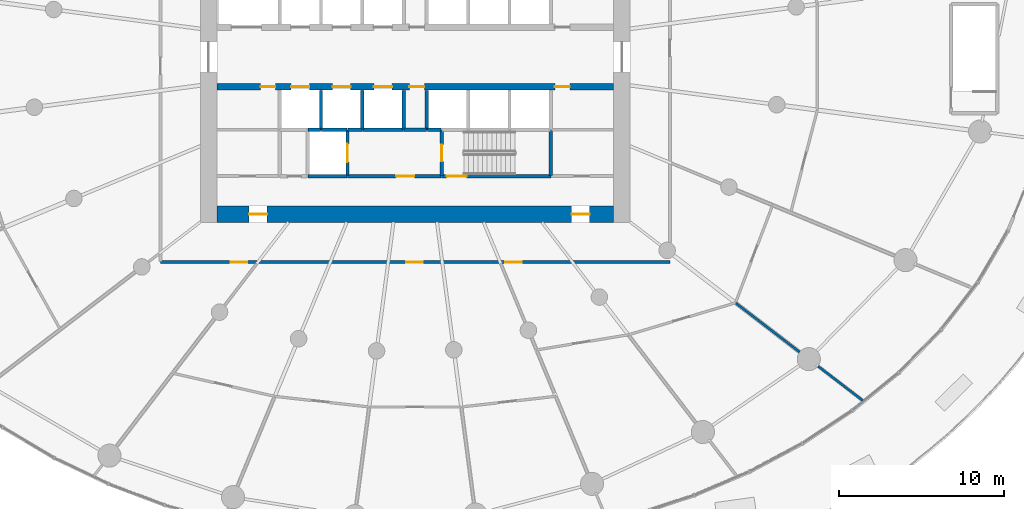
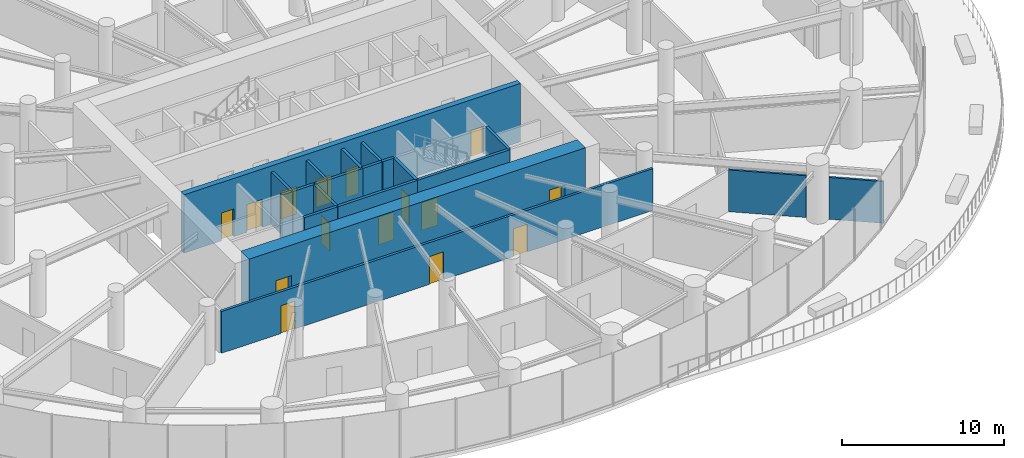
# One storey, part 12 of 21: 21 walls, 15 doors, 15 openings.
"""IFC4 building model written with IfcOpenShell, lengths in metres."""

from ifc_helpers import new_model, si_unit, direction, frame, frame_2d, origin, place, context, subcontext, project, spatial, rectangle, extrude, source, transform, mapped, material, layer, layer_set, type_object, element, fill, save


model = new_model("IFC4")

# Units and contexts
model_context = context("Model", 3, precision=1e-05, world=origin(), true_north=direction((0.0, 1.0)))
body_context = subcontext(model_context, "Body", "Model", "MODEL_VIEW")
ifc_project = project(units=[si_unit("LENGTHUNIT", "METRE"), si_unit("AREAUNIT", "SQUARE_METRE"), si_unit("VOLUMEUNIT", "CUBIC_METRE"), si_unit("PLANEANGLEUNIT", "RADIAN"), si_unit("MASSUNIT", "GRAM", prefix="KILO")], contexts=[model_context])

# Site, building, storey
site_placement = place(None, origin())
site = spatial("IfcSite", under=ifc_project, at=site_placement, CompositionType="ELEMENT")
building_placement = place(site_placement, origin())
building = spatial("IfcBuilding", under=site, at=building_placement, Name="Spindrift Exchange Tower", CompositionType="ELEMENT")
storey_placement = place(building_placement, frame((0.0, 0.0, 18.199951171875)))
storey = spatial("IfcBuildingStorey", under=building, at=storey_placement, Name="L04", CompositionType="ELEMENT", Elevation=18.199951171875)

# Wall, openings, doors
ifc_material_1 = material(Name="Concrete 80 MPa", Category="concrete")
ifc_layer_1 = layer(ifc_material_1, 1.0)
ifc_layer_set_1 = layer_set([ifc_layer_1], Name="RC Core Wall 1000 Concrete 80 MPa")
wall_type_1 = type_object("IfcWallType", Name="RC Core Wall 1000 Concrete 80 MPa", PredefinedType="SHEAR", material=ifc_layer_set_1)
wall_1_placement = place(storey_placement, frame((40.0, 38.5, 0.0), z_axis=(0.0, 0.0, 1.0), x_axis=(1.0, 0.0, 0.0)))
wall_1 = element("IfcWall", 1, at=wall_1_placement, inside=storey, type_object=wall_type_1, Name="Core wall S L04", PredefinedType="SHEAR", context=body_context, shape_type="SweptSolid", body=[
    extrude(rectangle(XDim=24.0, YDim=1.0, at=frame_2d((12.0, 0.0))), origin(), (0.0, 0.0, 1.0), 4.400146484375),
])
opening_1_placement = place(wall_1_placement, frame((21.449951171875, 0.0, 0.0)))
opening_1 = element("IfcOpeningElement", 2, at=opening_1_placement, cuts=wall_1, Name="Opening L04-D22", PredefinedType="OPENING", context=body_context, shape_type="SweptSolid", body=[
    extrude(rectangle(XDim=1.10009765625, YDim=2.10009765625, at=frame_2d((0.550048828125, 1.050048828125))), frame((0.0, 0.510009765625, 0.0), z_axis=(0.0, -1.0, 0.0), x_axis=(1.0, 0.0, 0.0)), (0.0, 0.0, 1.0), 1.02001953125),
])
opening_2_placement = place(wall_1_placement, frame((1.949951171875, 0.0, 0.0)))
opening_2 = element("IfcOpeningElement", 3, at=opening_2_placement, cuts=wall_1, Name="Opening L04-D23", PredefinedType="OPENING", context=body_context, shape_type="SweptSolid", body=[
    extrude(rectangle(XDim=1.10009765625, YDim=2.10009765625, at=frame_2d((0.550048828125, 1.050048828125))), frame((0.0, 0.510009765625, 0.0), z_axis=(0.0, -1.0, 0.0), x_axis=(1.0, 0.0, 0.0)), (0.0, 0.0, 1.0), 1.02001953125),
])
ifc_material_2 = material(Name="Steel fire door", Category="steel")
door_type_1 = type_object("IfcDoorType", Name="DR-STAIR-1100", OperationType="NOTDEFINED", PredefinedType="DOOR", material=ifc_material_2)
shared_shape_1 = source(origin(), body_context, "Body", "SweptSolid", [
    extrude(rectangle(XDim=1.10009765625, YDim=2.10009765625, at=frame_2d((0.550048828125, 1.050048828125))), frame((0.0, 0.02490234375, 0.0), z_axis=(0.0, -1.0, 0.0), x_axis=(1.0, 0.0, 0.0)), (0.0, 0.0, 1.0), 0.050048828125),
])
door_1_placement = place(opening_1_placement, origin())
door_1 = element("IfcDoor", 4, at=door_1_placement, inside=storey, type_object=door_type_1, Name="L04 Stair door 22", OperationType="SINGLE_SWING_LEFT", OverallHeight=2.10009765625, OverallWidth=1.10009765625, PredefinedType="DOOR", context=body_context, shape_type="MappedRepresentation", body=[
    mapped(shared_shape_1, transform((0.0, 0.0, 0.0), scale=1.0)),
])
fill(opening_1, door_1)
door_2_placement = place(opening_2_placement, origin())
door_2 = element("IfcDoor", 5, at=door_2_placement, inside=storey, type_object=door_type_1, Name="L04 Stair door 23", OperationType="SINGLE_SWING_RIGHT", OverallHeight=2.10009765625, OverallWidth=1.10009765625, PredefinedType="DOOR", context=body_context, shape_type="MappedRepresentation", body=[
    mapped(shared_shape_1, transform((0.0, 0.0, 0.0), scale=1.0)),
])
fill(opening_2, door_2)

ifc_layer_2 = layer(ifc_material_1, 0.39990234375)
ifc_layer_set_2 = layer_set([ifc_layer_2], Name="RC Spine Wall 400 Concrete 80 MPa")
wall_type_2 = type_object("IfcWallType", Name="RC Spine Wall 400 Concrete 80 MPa", PredefinedType="SHEAR", material=ifc_layer_set_2)
wall_2_placement = place(storey_placement, frame((40.0, 46.199951171875, 0.0), z_axis=(0.0, 0.0, 1.0), x_axis=(1.0, 0.0, 0.0)))
wall_2 = element("IfcWall", 6, at=wall_2_placement, inside=storey, type_object=wall_type_2, Name="Core spine wall S L04", PredefinedType="SHEAR", context=body_context, shape_type="SweptSolid", body=[
    extrude(rectangle(XDim=24.0, YDim=0.39990234375, at=frame_2d((12.0, 0.0))), origin(), (0.0, 0.0, 1.0), 4.400146484375),
])
opening_3_placement = place(wall_2_placement, frame((4.5, 0.0, 0.0)))
opening_3 = element("IfcOpeningElement", 7, at=opening_3_placement, cuts=wall_2, Name="Opening L04-D6", PredefinedType="OPENING", context=body_context, shape_type="SweptSolid", body=[
    extrude(rectangle(XDim=1.10009765625, YDim=2.10009765625, at=frame_2d((0.550048828125, 1.050048828125))), frame((0.0, 0.2099609375, 0.0), z_axis=(0.0, -1.0, 0.0), x_axis=(1.0, 0.0, 0.0)), (0.0, 0.0, 1.0), 0.419921875),
])
opening_4_placement = place(wall_2_placement, frame((7.0, 0.0, 0.0)))
opening_4 = element("IfcOpeningElement", 8, at=opening_4_placement, cuts=wall_2, Name="Opening L04-D7", PredefinedType="OPENING", context=body_context, shape_type="SweptSolid", body=[
    extrude(rectangle(XDim=1.10009765625, YDim=2.10009765625, at=frame_2d((0.550048828125, 1.050048828125))), frame((0.0, 0.2099609375, 0.0), z_axis=(0.0, -1.0, 0.0), x_axis=(1.0, 0.0, 0.0)), (0.0, 0.0, 1.0), 0.419921875),
])
opening_5_placement = place(wall_2_placement, frame((9.5, 0.0, 0.0)))
opening_5 = element("IfcOpeningElement", 9, at=opening_5_placement, cuts=wall_2, Name="Opening L04-D8", PredefinedType="OPENING", context=body_context, shape_type="SweptSolid", body=[
    extrude(rectangle(XDim=1.10009765625, YDim=2.10009765625, at=frame_2d((0.550048828125, 1.050048828125))), frame((0.0, 0.2099609375, 0.0), z_axis=(0.0, -1.0, 0.0), x_axis=(1.0, 0.0, 0.0)), (0.0, 0.0, 1.0), 0.419921875),
])
opening_6_placement = place(wall_2_placement, frame((20.449951171875, 0.0, 0.0)))
opening_6 = element("IfcOpeningElement", 10, at=opening_6_placement, cuts=wall_2, Name="Opening L04-D53", PredefinedType="OPENING", context=body_context, shape_type="SweptSolid", body=[
    extrude(rectangle(XDim=0.89990234375, YDim=2.10009765625, at=frame_2d((0.449951171875, 1.050048828125))), frame((0.0, 0.2099609375, 0.0), z_axis=(0.0, -1.0, 0.0), x_axis=(1.0, 0.0, 0.0)), (0.0, 0.0, 1.0), 0.419921875),
])
opening_7_placement = place(wall_2_placement, frame((2.64990234375, 0.0, 0.0)))
opening_7 = element("IfcOpeningElement", 11, at=opening_7_placement, cuts=wall_2, Name="Opening L04-D58", PredefinedType="OPENING", context=body_context, shape_type="SweptSolid", body=[
    extrude(rectangle(XDim=0.89990234375, YDim=2.10009765625, at=frame_2d((0.449951171875, 1.050048828125))), frame((0.0, 0.2099609375, 0.0), z_axis=(0.0, -1.0, 0.0), x_axis=(1.0, 0.0, 0.0)), (0.0, 0.0, 1.0), 0.419921875),
])
opening_8_placement = place(wall_2_placement, frame((11.64990234375, 0.0, 0.0)))
opening_8 = element("IfcOpeningElement", 12, at=opening_8_placement, cuts=wall_2, Name="Opening L04-D60", PredefinedType="OPENING", context=body_context, shape_type="SweptSolid", body=[
    extrude(rectangle(XDim=0.89990234375, YDim=2.10009765625, at=frame_2d((0.449951171875, 1.050048828125))), frame((0.0, 0.2099609375, 0.0), z_axis=(0.0, -1.0, 0.0), x_axis=(1.0, 0.0, 0.0)), (0.0, 0.0, 1.0), 0.419921875),
])
ifc_material_3 = material(Name="Stainless steel landing door", Category="steel")
door_type_2 = type_object("IfcDoorType", Name="DR-LANDING-1100-SL", OperationType="DOUBLE_DOOR_SLIDING", PredefinedType="USERDEFINED", material=ifc_material_3)
shared_shape_2 = source(origin(), body_context, "Body", "SweptSolid", [
    extrude(rectangle(XDim=1.10009765625, YDim=2.10009765625, at=frame_2d((0.550048828125, 1.050048828125))), frame((0.0, 0.02490234375, 0.0), z_axis=(0.0, -1.0, 0.0), x_axis=(1.0, 0.0, 0.0)), (0.0, 0.0, 1.0), 0.050048828125),
])
door_3_placement = place(opening_3_placement, origin())
door_3 = element("IfcDoor", 13, at=door_3_placement, inside=storey, type_object=door_type_2, Name="L04 Lift landing door 6", ObjectType="LANDING DOOR", OperationType="DOUBLE_DOOR_SLIDING", OverallHeight=2.10009765625, OverallWidth=1.10009765625, PredefinedType="USERDEFINED", context=body_context, shape_type="MappedRepresentation", body=[
    mapped(shared_shape_2, transform((0.0, 0.0, 0.0), scale=1.0)),
])
fill(opening_3, door_3)
door_4_placement = place(opening_4_placement, origin())
door_4 = element("IfcDoor", 14, at=door_4_placement, inside=storey, type_object=door_type_2, Name="L04 Lift landing door 7", ObjectType="LANDING DOOR", OperationType="DOUBLE_DOOR_SLIDING", OverallHeight=2.10009765625, OverallWidth=1.10009765625, PredefinedType="USERDEFINED", context=body_context, shape_type="MappedRepresentation", body=[
    mapped(shared_shape_2, transform((0.0, 0.0, 0.0), scale=1.0)),
])
fill(opening_4, door_4)
door_5_placement = place(opening_5_placement, origin())
door_5 = element("IfcDoor", 15, at=door_5_placement, inside=storey, type_object=door_type_2, Name="L04 Lift landing door 8", ObjectType="LANDING DOOR", OperationType="DOUBLE_DOOR_SLIDING", OverallHeight=2.10009765625, OverallWidth=1.10009765625, PredefinedType="USERDEFINED", context=body_context, shape_type="MappedRepresentation", body=[
    mapped(shared_shape_2, transform((0.0, 0.0, 0.0), scale=1.0)),
])
fill(opening_5, door_5)
ifc_material_4 = material(Name="Steel access door", Category="steel")
door_type_3 = type_object("IfcDoorType", Name="DR-RISER-900", OperationType="NOTDEFINED", PredefinedType="DOOR", material=ifc_material_4)
shared_shape_3 = source(origin(), body_context, "Body", "SweptSolid", [
    extrude(rectangle(XDim=0.89990234375, YDim=2.10009765625, at=frame_2d((0.449951171875, 1.050048828125))), frame((0.0, 0.02490234375, 0.0), z_axis=(0.0, -1.0, 0.0), x_axis=(1.0, 0.0, 0.0)), (0.0, 0.0, 1.0), 0.050048828125),
])
door_6_placement = place(opening_6_placement, origin())
door_6 = element("IfcDoor", 16, at=door_6_placement, inside=storey, type_object=door_type_3, Name="L04 Riser door 53", OperationType="SINGLE_SWING_RIGHT", OverallHeight=2.10009765625, OverallWidth=0.89990234375, PredefinedType="DOOR", context=body_context, shape_type="MappedRepresentation", body=[
    mapped(shared_shape_3, transform((0.0, 0.0, 0.0), scale=1.0)),
])
fill(opening_6, door_6)
door_7_placement = place(opening_7_placement, origin())
door_7 = element("IfcDoor", 17, at=door_7_placement, inside=storey, type_object=door_type_3, Name="L04 Riser door 58", OperationType="SINGLE_SWING_LEFT", OverallHeight=2.10009765625, OverallWidth=0.89990234375, PredefinedType="DOOR", context=body_context, shape_type="MappedRepresentation", body=[
    mapped(shared_shape_3, transform((0.0, 0.0, 0.0), scale=1.0)),
])
fill(opening_7, door_7)
door_8_placement = place(opening_8_placement, origin())
door_8 = element("IfcDoor", 18, at=door_8_placement, inside=storey, type_object=door_type_3, Name="L04 Riser door 60", OperationType="SINGLE_SWING_LEFT", OverallHeight=2.10009765625, OverallWidth=0.89990234375, PredefinedType="DOOR", context=body_context, shape_type="MappedRepresentation", body=[
    mapped(shared_shape_3, transform((0.0, 0.0, 0.0), scale=1.0)),
])
fill(opening_8, door_8)

# Walls
ifc_material_5 = material(Name="Fire-rated plasterboard partition", Category="gypsum")
ifc_layer_3 = layer(ifc_material_5, 0.139892578125)
ifc_layer_set_3 = layer_set([ifc_layer_3], Name="W-PLANT-140")
wall_type_3 = type_object("IfcWallType", Name="W-PLANT-140", PredefinedType="PARTITIONING", material=ifc_layer_set_3)
wall_3_placement = place(storey_placement, frame((71.390625, 33.12109375, 0.0), z_axis=(0.0, 0.0, 1.0), x_axis=(0.79336750658, -0.608742966697, 0.0)))
element("IfcWall", 19, at=wall_3_placement, inside=storey, type_object=wall_type_3, Name="L04 Partition wall 104", PredefinedType="PARTITIONING", context=body_context, shape_type="SweptSolid", body=[
    extrude(rectangle(XDim=4.8544921875, YDim=0.139892578125, at=frame_2d((2.42724609375, 0.0))), origin(), (0.0, 0.0, 1.0), 3.150146484375),
])
wall_4_placement = place(storey_placement, frame((76.359375, 29.30859375, 0.0), z_axis=(0.0, 0.0, 1.0), x_axis=(0.793324630829, -0.608798842082, 0.0)))
element("IfcWall", 20, at=wall_4_placement, inside=storey, type_object=wall_type_3, Name="L04 Partition wall 117", PredefinedType="PARTITIONING", context=body_context, shape_type="SweptSolid", body=[
    extrude(rectangle(XDim=3.404296875, YDim=0.139892578125, at=frame_2d((1.7021484375, 0.0))), origin(), (0.0, 0.0, 1.0), 3.150146484375),
])

# Wall, openings, doors
ifc_layer_4 = layer(ifc_material_5, 0.179931640625)
ifc_layer_set_4 = layer_set([ifc_layer_4], Name="W-PLANT-180")
wall_type_4 = type_object("IfcWallType", Name="W-PLANT-180", PredefinedType="PARTITIONING", material=ifc_layer_set_4)
wall_5_placement = place(storey_placement, frame((67.39990234375, 35.60009765625, 0.0), z_axis=(0.0, 0.0, 1.0), x_axis=(-1.0, 0.0, 0.0)))
wall_5 = element("IfcWall", 21, at=wall_5_placement, inside=storey, type_object=wall_type_4, Name="L04 Partition wall 61", PredefinedType="PARTITIONING", context=body_context, shape_type="SweptSolid", body=[
    extrude(rectangle(XDim=30.7998046875, YDim=0.179931640625, at=frame_2d((15.39990234375, 0.0))), origin(), (0.0, 0.0, 1.0), 3.150146484375),
])
opening_9_placement = place(wall_5_placement, frame((25.550048828125, 0.0, 0.0)))
opening_9 = element("IfcOpeningElement", 22, at=opening_9_placement, cuts=wall_5, Name="Opening L04-D39", PredefinedType="OPENING", context=body_context, shape_type="SweptSolid", body=[
    extrude(rectangle(XDim=1.0, YDim=2.10009765625, at=frame_2d((0.5, 1.050048828125))), frame((0.0, 0.099853515625, 0.0), z_axis=(0.0, -1.0, 0.0), x_axis=(1.0, 0.0, 0.0)), (0.0, 0.0, 1.0), 0.199951171875),
])
opening_10_placement = place(wall_5_placement, frame((14.949951171875, 0.0, 0.0)))
opening_10 = element("IfcOpeningElement", 23, at=opening_10_placement, cuts=wall_5, Name="Opening L04-D40", PredefinedType="OPENING", context=body_context, shape_type="SweptSolid", body=[
    extrude(rectangle(XDim=1.0, YDim=2.10009765625, at=frame_2d((0.5, 1.050048828125))), frame((0.0, 0.099853515625, 0.0), z_axis=(0.0, -1.0, 0.0), x_axis=(1.0, 0.0, 0.0)), (0.0, 0.0, 1.0), 0.199951171875),
])
opening_11_placement = place(wall_5_placement, frame((8.949951171875, 0.0, 0.0)))
opening_11 = element("IfcOpeningElement", 24, at=opening_11_placement, cuts=wall_5, Name="Opening L04-D45", PredefinedType="OPENING", context=body_context, shape_type="SweptSolid", body=[
    extrude(rectangle(XDim=1.0, YDim=2.10009765625, at=frame_2d((0.5, 1.050048828125))), frame((0.0, 0.099853515625, 0.0), z_axis=(0.0, -1.0, 0.0), x_axis=(1.0, 0.0, 0.0)), (0.0, 0.0, 1.0), 0.199951171875),
])
ifc_material_6 = material(Name="Timber-core fire door", Category="wood")
door_type_4 = type_object("IfcDoorType", Name="DR-ROOM-1000", OperationType="NOTDEFINED", PredefinedType="DOOR", material=ifc_material_6)
shared_shape_4 = source(origin(), body_context, "Body", "SweptSolid", [
    extrude(rectangle(XDim=1.0, YDim=2.10009765625, at=frame_2d((0.5, 1.050048828125))), frame((0.0, 0.02490234375, 0.0), z_axis=(0.0, -1.0, 0.0), x_axis=(1.0, 0.0, 0.0)), (0.0, 0.0, 1.0), 0.050048828125),
])
door_9_placement = place(opening_9_placement, origin())
door_9 = element("IfcDoor", 25, at=door_9_placement, inside=storey, type_object=door_type_4, Name="L04 Door 39", OperationType="SINGLE_SWING_RIGHT", OverallHeight=2.10009765625, OverallWidth=1.0, PredefinedType="DOOR", context=body_context, shape_type="MappedRepresentation", body=[
    mapped(shared_shape_4, transform((0.0, 0.0, 0.0), scale=1.0)),
])
fill(opening_9, door_9)
door_10_placement = place(opening_10_placement, origin())
door_10 = element("IfcDoor", 26, at=door_10_placement, inside=storey, type_object=door_type_4, Name="L04 Door 40", OperationType="SINGLE_SWING_LEFT", OverallHeight=2.10009765625, OverallWidth=1.0, PredefinedType="DOOR", context=body_context, shape_type="MappedRepresentation", body=[
    mapped(shared_shape_4, transform((0.0, 0.0, 0.0), scale=1.0)),
])
fill(opening_10, door_10)
door_11_placement = place(opening_11_placement, origin())
door_11 = element("IfcDoor", 27, at=door_11_placement, inside=storey, type_object=door_type_4, Name="L04 Door 45", OperationType="SINGLE_SWING_RIGHT", OverallHeight=2.10009765625, OverallWidth=1.0, PredefinedType="DOOR", context=body_context, shape_type="MappedRepresentation", body=[
    mapped(shared_shape_4, transform((0.0, 0.0, 0.0), scale=1.0)),
])
fill(opening_11, door_11)

# Wall, opening, door
ifc_material_7 = material(Name="Concrete 40 MPa", Category="concrete")
ifc_layer_5 = layer(ifc_material_7, 0.199951171875)
ifc_layer_set_5 = layer_set([ifc_layer_5], Name="W-SHAFT-200")
wall_type_5 = type_object("IfcWallType", Name="W-SHAFT-200", PredefinedType="SOLIDWALL", material=ifc_layer_set_5)
wall_6_placement = place(storey_placement, frame((47.89990234375, 40.830078125, 0.0), z_axis=(0.0, 0.0, 1.0), x_axis=(0.0, 1.0, 0.0)))
wall_6 = element("IfcWall", 28, at=wall_6_placement, inside=storey, type_object=wall_type_5, Name="L04 Shaft wall 10", PredefinedType="SOLIDWALL", context=body_context, shape_type="SweptSolid", body=[
    extrude(rectangle(XDim=2.77001953125, YDim=0.199951171875, at=frame_2d((1.385009765625, 0.0))), origin(), (0.0, 0.0, 1.0), 3.949951171875),
])
opening_12_placement = place(wall_6_placement, frame((0.820068359375, 0.0, 0.0)))
opening_12 = element("IfcOpeningElement", 29, at=opening_12_placement, cuts=wall_6, Name="Opening L04-D10", PredefinedType="OPENING", context=body_context, shape_type="SweptSolid", body=[
    extrude(rectangle(XDim=1.10009765625, YDim=2.10009765625, at=frame_2d((0.550048828125, 1.050048828125))), frame((0.0, 0.10986328125, 0.0), z_axis=(0.0, -1.0, 0.0), x_axis=(1.0, 0.0, 0.0)), (0.0, 0.0, 1.0), 0.219970703125),
])
door_12_placement = place(opening_12_placement, origin())
door_12 = element("IfcDoor", 30, at=door_12_placement, inside=storey, type_object=door_type_2, Name="L04 Lift landing door 10", ObjectType="LANDING DOOR", OperationType="DOUBLE_DOOR_SLIDING", OverallHeight=2.10009765625, OverallWidth=1.10009765625, PredefinedType="USERDEFINED", context=body_context, shape_type="MappedRepresentation", body=[
    mapped(shared_shape_2, transform((0.0, 0.0, 0.0), scale=1.0)),
])
fill(opening_12, door_12)

# Walls
wall_7_placement = place(storey_placement, frame((48.800048828125, 43.60009765625, 0.0), z_axis=(0.0, 0.0, 1.0), x_axis=(1.0, 0.0, 0.0)))
element("IfcWall", 31, at=wall_7_placement, inside=storey, type_object=wall_type_5, Name="L04 Shaft wall 21", PredefinedType="SOLIDWALL", context=body_context, shape_type="SweptSolid", body=[
    extrude(rectangle(XDim=2.5, YDim=0.199951171875, at=frame_2d((1.25, 0.0))), origin(), (0.0, 0.0, 1.0), 3.949951171875),
])
wall_8_placement = place(storey_placement, frame((45.530029296875, 40.800048828125, 0.0), z_axis=(0.0, 0.0, 1.0), x_axis=(1.0, 0.0, 0.0)))
element("IfcWall", 32, at=wall_8_placement, inside=storey, type_object=wall_type_5, Name="L04 Shaft wall 25", PredefinedType="SOLIDWALL", context=body_context, shape_type="SweptSolid", body=[
    extrude(rectangle(XDim=2.340087890625, YDim=0.199951171875, at=frame_2d((1.169921875, 0.0))), origin(), (0.0, 0.0, 1.0), 3.949951171875),
])
wall_9_placement = place(storey_placement, frame((46.300048828125, 43.60009765625, 0.0), z_axis=(0.0, 0.0, 1.0), x_axis=(0.0, 1.0, 0.0)))
element("IfcWall", 33, at=wall_9_placement, inside=storey, type_object=wall_type_5, Name="L04 Shaft wall 29", PredefinedType="SOLIDWALL", context=body_context, shape_type="SweptSolid", body=[
    extrude(rectangle(XDim=2.389892578125, YDim=0.199951171875, at=frame_2d((1.19482421875, 0.0))), origin(), (0.0, 0.0, 1.0), 3.949951171875),
])
for number, where, z_axis, x_axis, name in (
    (34, (48.800048828125, 43.6298828125, 0.0), (0.0, 0.0, 1.0), (0.0, 1.0, 0.0), "L04 Shaft wall 31"),
    (35, (51.300048828125, 43.6298828125, 0.0), (0.0, 0.0, 1.0), (0.0, 1.0, 0.0), "L04 Shaft wall 33"),
):
    element("IfcWall", number, at=place(storey_placement, frame(where, z_axis=z_axis, x_axis=x_axis)), inside=storey, type_object=wall_type_5, Name=name, PredefinedType="SOLIDWALL", context=body_context, shape_type="SweptSolid", body=[
        extrude(rectangle(XDim=2.360107421875, YDim=0.199951171875, at=frame_2d((1.18017578125, 0.0))), origin(), (0.0, 0.0, 1.0), 3.949951171875),
    ])
wall_10_placement = place(storey_placement, frame((52.699951171875, 45.989990234375, 0.0), z_axis=(0.0, 0.0, 1.0), x_axis=(0.0, -1.0, 0.0)))
element("IfcWall", 36, at=wall_10_placement, inside=storey, type_object=wall_type_5, Name="L04 Shaft wall 35", PredefinedType="SOLIDWALL", context=body_context, shape_type="SweptSolid", body=[
    extrude(rectangle(XDim=2.389892578125, YDim=0.199951171875, at=frame_2d((1.19482421875, 0.0))), origin(), (0.0, 0.0, 1.0), 3.949951171875),
])
wall_11_placement = place(storey_placement, frame((46.330078125, 43.60009765625, 0.0), z_axis=(0.0, 0.0, 1.0), x_axis=(1.0, 0.0, 0.0)))
element("IfcWall", 37, at=wall_11_placement, inside=storey, type_object=wall_type_5, Name="L04 Shaft wall 48", PredefinedType="SOLIDWALL", context=body_context, shape_type="SweptSolid", body=[
    extrude(rectangle(XDim=1.5400390625, YDim=0.199951171875, at=frame_2d((0.77001953125, 0.0))), origin(), (0.0, 0.0, 1.0), 3.949951171875),
])
wall_12_placement = place(storey_placement, frame((52.669921875, 43.60009765625, 0.0), z_axis=(0.0, 0.0, 1.0), x_axis=(-1.0, 0.0, 0.0)))
element("IfcWall", 38, at=wall_12_placement, inside=storey, type_object=wall_type_5, Name="L04 Shaft wall 52", PredefinedType="SOLIDWALL", context=body_context, shape_type="SweptSolid", body=[
    extrude(rectangle(XDim=1.33984375, YDim=0.199951171875, at=frame_2d((0.669921875, 0.0))), origin(), (0.0, 0.0, 1.0), 3.949951171875),
])
wall_13_placement = place(storey_placement, frame((47.929931640625, 43.60009765625, 0.0), z_axis=(0.0, 0.0, 1.0), x_axis=(1.0, 0.0, 0.0)))
element("IfcWall", 39, at=wall_13_placement, inside=storey, type_object=wall_type_5, Name="L04 Shaft wall 54", PredefinedType="SOLIDWALL", context=body_context, shape_type="SweptSolid", body=[
    extrude(rectangle(XDim=0.840087890625, YDim=0.199951171875, at=frame_2d((0.419921875, 0.0))), origin(), (0.0, 0.0, 1.0), 3.949951171875),
])
wall_14_placement = place(storey_placement, frame((45.530029296875, 43.60009765625, 0.0), z_axis=(0.0, 0.0, 1.0), x_axis=(1.0, 0.0, 0.0)))
element("IfcWall", 40, at=wall_14_placement, inside=storey, type_object=wall_type_5, Name="L04 Shaft wall 58", PredefinedType="SOLIDWALL", context=body_context, shape_type="SweptSolid", body=[
    extrude(rectangle(XDim=0.739990234375, YDim=0.199951171875, at=frame_2d((0.3701171875, 0.0))), origin(), (0.0, 0.0, 1.0), 3.949951171875),
])

# Wall, opening, door
ifc_layer_6 = layer(ifc_material_7, 0.199951171875)
ifc_layer_set_6 = layer_set([ifc_layer_6], Name="W-SHAFT-200-LB")
wall_type_6 = type_object("IfcWallType", Name="W-SHAFT-200-LB", PredefinedType="SOLIDWALL", material=ifc_layer_set_6)
wall_15_placement = place(storey_placement, frame((53.60009765625, 40.800048828125, 0.0), z_axis=(0.0, 0.0, 1.0), x_axis=(1.0, 0.0, 0.0)))
wall_15 = element("IfcWall", 41, at=wall_15_placement, inside=storey, type_object=wall_type_6, Name="L04 Shaft wall 2", PredefinedType="SOLIDWALL", context=body_context, shape_type="SweptSolid", body=[
    extrude(rectangle(XDim=6.599853515625, YDim=0.199951171875, at=frame_2d((3.2998046875, 0.0))), origin(), (0.0, 0.0, 1.0), 3.949951171875),
])
opening_13_placement = place(wall_15_placement, frame((0.300048828125, 0.0, 0.0)))
opening_13 = element("IfcOpeningElement", 42, at=opening_13_placement, cuts=wall_15, Name="Opening L04-D16", PredefinedType="OPENING", context=body_context, shape_type="SweptSolid", body=[
    extrude(rectangle(XDim=1.199951171875, YDim=2.10009765625, at=frame_2d((0.60009765625, 1.050048828125))), frame((0.0, 0.10986328125, 0.0), z_axis=(0.0, -1.0, 0.0), x_axis=(1.0, 0.0, 0.0)), (0.0, 0.0, 1.0), 0.219970703125),
])
door_type_5 = type_object("IfcDoorType", Name="DR-STAIR-1200", OperationType="NOTDEFINED", PredefinedType="DOOR", material=ifc_material_2)
shared_shape_5 = source(origin(), body_context, "Body", "SweptSolid", [
    extrude(rectangle(XDim=1.199951171875, YDim=2.10009765625, at=frame_2d((0.60009765625, 1.050048828125))), frame((0.0, 0.02490234375, 0.0), z_axis=(0.0, -1.0, 0.0), x_axis=(1.0, 0.0, 0.0)), (0.0, 0.0, 1.0), 0.050048828125),
])
door_13_placement = place(opening_13_placement, origin())
door_13 = element("IfcDoor", 43, at=door_13_placement, inside=storey, type_object=door_type_5, Name="L04 Stair door 16", OperationType="SINGLE_SWING_LEFT", OverallHeight=2.10009765625, OverallWidth=1.199951171875, PredefinedType="DOOR", context=body_context, shape_type="MappedRepresentation", body=[
    mapped(shared_shape_5, transform((0.0, 0.0, 0.0), scale=1.0)),
])
fill(opening_13, door_13)

wall_16_placement = place(storey_placement, frame((47.89990234375, 40.800048828125, 0.0), z_axis=(0.0, 0.0, 1.0), x_axis=(1.0, 0.0, 0.0)))
wall_16 = element("IfcWall", 44, at=wall_16_placement, inside=storey, type_object=wall_type_6, Name="L04 Shaft wall 5", PredefinedType="SOLIDWALL", context=body_context, shape_type="SweptSolid", body=[
    extrude(rectangle(XDim=5.670166015625, YDim=0.199951171875, at=frame_2d((2.8349609375, 0.0))), origin(), (0.0, 0.0, 1.0), 3.949951171875),
])
opening_14_placement = place(wall_16_placement, frame((2.949951171875, 0.0, 0.0)))
opening_14 = element("IfcOpeningElement", 45, at=opening_14_placement, cuts=wall_16, Name="Opening L04-D18", PredefinedType="OPENING", context=body_context, shape_type="SweptSolid", body=[
    extrude(rectangle(XDim=1.10009765625, YDim=2.10009765625, at=frame_2d((0.550048828125, 1.050048828125))), frame((0.0, 0.10986328125, 0.0), z_axis=(0.0, -1.0, 0.0), x_axis=(1.0, 0.0, 0.0)), (0.0, 0.0, 1.0), 0.219970703125),
])
door_type_6 = type_object("IfcDoorType", Name="DR-LOBBY-1100", OperationType="NOTDEFINED", PredefinedType="DOOR", material=ifc_material_6)
shared_shape_6 = source(origin(), body_context, "Body", "SweptSolid", [
    extrude(rectangle(XDim=1.10009765625, YDim=2.10009765625, at=frame_2d((0.550048828125, 1.050048828125))), frame((0.0, 0.02490234375, 0.0), z_axis=(0.0, -1.0, 0.0), x_axis=(1.0, 0.0, 0.0)), (0.0, 0.0, 1.0), 0.050048828125),
])
door_14_placement = place(opening_14_placement, origin())
door_14 = element("IfcDoor", 46, at=door_14_placement, inside=storey, type_object=door_type_6, Name="L04 Lobby door 18", OperationType="SINGLE_SWING_LEFT", OverallHeight=2.10009765625, OverallWidth=1.10009765625, PredefinedType="DOOR", context=body_context, shape_type="MappedRepresentation", body=[
    mapped(shared_shape_6, transform((0.0, 0.0, 0.0), scale=1.0)),
])
fill(opening_14, door_14)

# Wall
wall_17_placement = place(storey_placement, frame((60.199951171875, 40.830078125, 0.0), z_axis=(0.0, 0.0, 1.0), x_axis=(0.0, 1.0, 0.0)))
element("IfcWall", 47, at=wall_17_placement, inside=storey, type_object=wall_type_6, Name="L04 Shaft wall 12", PredefinedType="SOLIDWALL", context=body_context, shape_type="SweptSolid", body=[
    extrude(rectangle(XDim=2.77001953125, YDim=0.199951171875, at=frame_2d((1.385009765625, 0.0))), origin(), (0.0, 0.0, 1.0), 3.949951171875),
])

# Wall, opening, door
wall_18_placement = place(storey_placement, frame((53.60009765625, 43.60009765625, 0.0), z_axis=(0.0, 0.0, 1.0), x_axis=(0.0, -1.0, 0.0)))
wall_18 = element("IfcWall", 48, at=wall_18_placement, inside=storey, type_object=wall_type_6, Name="L04 Shaft wall 13", PredefinedType="SOLIDWALL", context=body_context, shape_type="SweptSolid", body=[
    extrude(rectangle(XDim=2.77001953125, YDim=0.199951171875, at=frame_2d((1.385009765625, 0.0))), origin(), (0.0, 0.0, 1.0), 3.949951171875),
])
opening_15_placement = place(wall_18_placement, frame((0.89990234375, 0.0, 0.0)))
opening_15 = element("IfcOpeningElement", 49, at=opening_15_placement, cuts=wall_18, Name="Opening L04-D17", PredefinedType="OPENING", context=body_context, shape_type="SweptSolid", body=[
    extrude(rectangle(XDim=1.0, YDim=2.10009765625, at=frame_2d((0.5, 1.050048828125))), frame((0.0, 0.10986328125, 0.0), z_axis=(0.0, -1.0, 0.0), x_axis=(1.0, 0.0, 0.0)), (0.0, 0.0, 1.0), 0.219970703125),
])
door_type_7 = type_object("IfcDoorType", Name="DR-STAIR-1000", OperationType="NOTDEFINED", PredefinedType="DOOR", material=ifc_material_2)
shared_shape_7 = source(origin(), body_context, "Body", "SweptSolid", [
    extrude(rectangle(XDim=1.0, YDim=2.10009765625, at=frame_2d((0.5, 1.050048828125))), frame((0.0, 0.02490234375, 0.0), z_axis=(0.0, -1.0, 0.0), x_axis=(1.0, 0.0, 0.0)), (0.0, 0.0, 1.0), 0.050048828125),
])
door_15_placement = place(opening_15_placement, origin())
door_15 = element("IfcDoor", 50, at=door_15_placement, inside=storey, type_object=door_type_7, Name="L04 Stair door 17", OperationType="SINGLE_SWING_RIGHT", OverallHeight=2.10009765625, OverallWidth=1.0, PredefinedType="DOOR", context=body_context, shape_type="MappedRepresentation", body=[
    mapped(shared_shape_7, transform((0.0, 0.0, 0.0), scale=1.0)),
])
fill(opening_15, door_15)

# Wall
wall_19_placement = place(storey_placement, frame((52.72998046875, 43.60009765625, 0.0), z_axis=(0.0, 0.0, 1.0), x_axis=(1.0, 0.0, 0.0)))
element("IfcWall", 51, at=wall_19_placement, inside=storey, type_object=wall_type_6, Name="L04 Shaft wall 56", PredefinedType="SOLIDWALL", context=body_context, shape_type="SweptSolid", body=[
    extrude(rectangle(XDim=0.840087890625, YDim=0.199951171875, at=frame_2d((0.419921875, 0.0))), origin(), (0.0, 0.0, 1.0), 3.949951171875),
])

save(model, "model.ifc")
